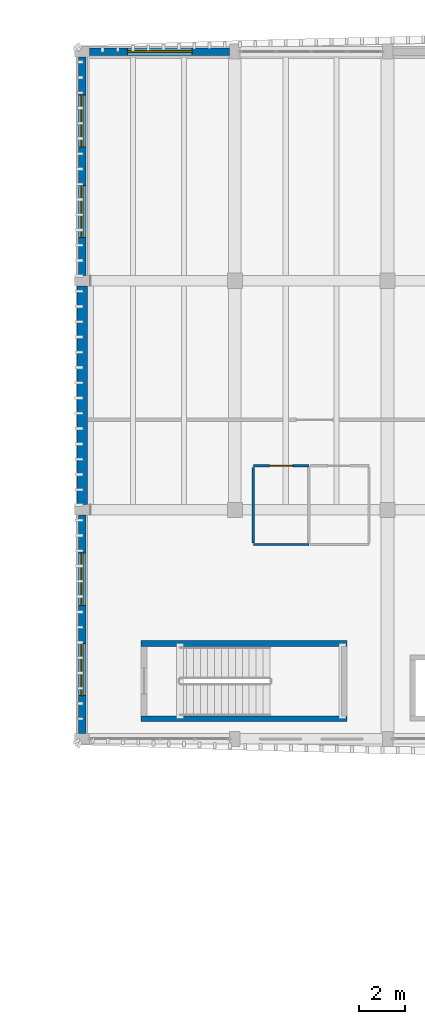
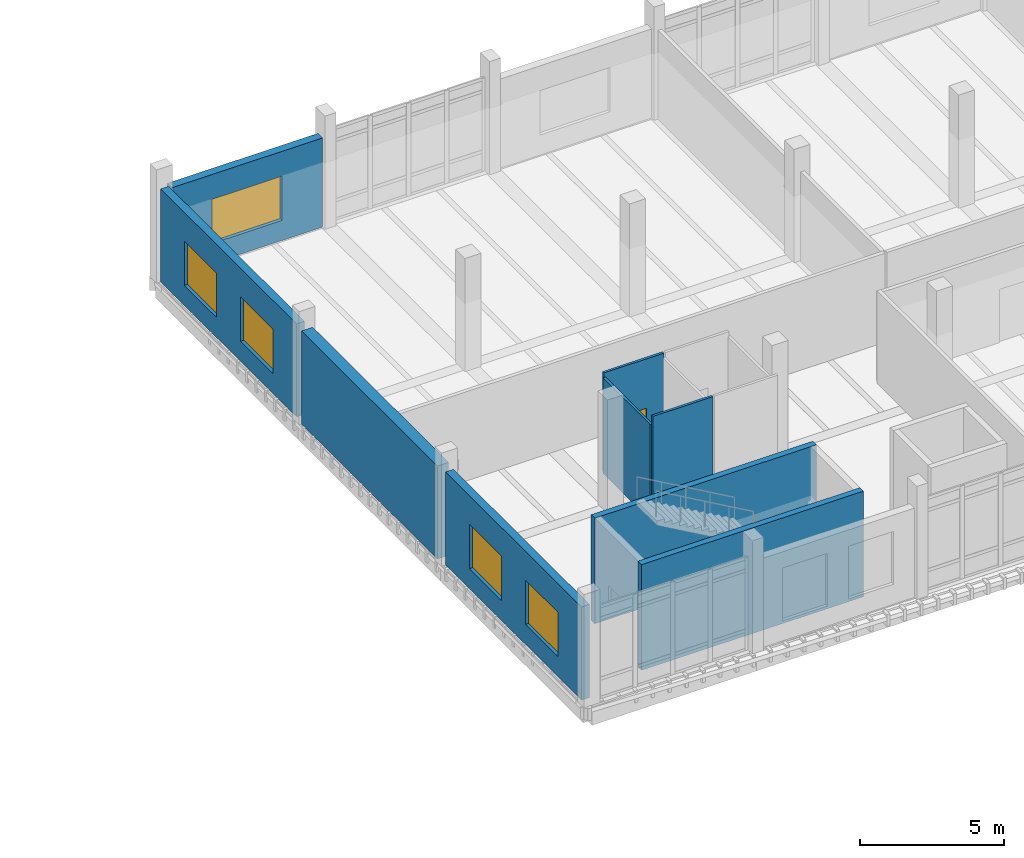
# One storey, part 54 of 76: 9 walls, 5 windows, 1 door, 6 openings.
"""IFC4 building model written with IfcOpenShell, lengths in metres."""

import ifcopenshell
import ifcopenshell.guid

model = None  # the IFC model being written
_history = None  # IfcOwnerHistory: only IFC2X3 demands one
_inside = {}  # id of a spatial element -> (the spatial element, [elements in it])
_under = {}  # id of a project, library or spatial element -> (it, [spatial elements below it])
_declared = {}  # id of a project -> (the project, [libraries it declares])
_typed = {}  # id of a type object -> (the type object, [elements of that type])
_made_of = {}  # id of a material, layer set ... -> (it, [elements and type objects made of it])


def new_model(schema):
    """Start an empty IFC model of exactly this schema.

    Asked for "IFC4X3", IfcOpenShell would pick the latest addendum, in which some entities
    have other attributes; the version numbers below select the first issue.
    IFC2X3 requires an IfcOwnerHistory on every rooted entity: one is made here for all.
    """
    global model, _history
    if schema == "IFC4X3":
        model = ifcopenshell.file(schema_version=(4, 3, 0, 0))
    else:
        model = ifcopenshell.file(schema=schema)
    _inside.clear()
    _under.clear()
    _declared.clear()
    _typed.clear()
    _made_of.clear()
    _history = None
    if model.schema == "IFC2X3":
        org = make("IfcOrganization", Name="unknown")
        user = make(
            "IfcPersonAndOrganization",
            ThePerson=make("IfcPerson", FamilyName="unknown"),
            TheOrganization=org,
        )
        app = make(
            "IfcApplication",
            ApplicationDeveloper=org,
            Version="unknown",
            ApplicationFullName="unknown",
            ApplicationIdentifier="unknown",
        )
        _history = make(
            "IfcOwnerHistory",
            OwningUser=user,
            OwningApplication=app,
            ChangeAction="ADDED",
            CreationDate=0,
        )
    return model


def make(cls, **values):
    """One entity of the class cls with the attributes given. An attribute that is None is left unset."""
    return model.create_entity(
        cls, **{name: value for name, value in values.items() if value is not None}
    )


def rooted(cls, **values):
    """An entity with a GlobalId (a new one), such as an element, a storey or a relation."""
    return make(cls, GlobalId=ifcopenshell.guid.new(), OwnerHistory=_history, **values)


def si_unit(unit_type, name, prefix=None):
    """IfcSIUnit, for example si_unit("LENGTHUNIT", "METRE", prefix="MILLI")."""
    return make("IfcSIUnit", UnitType=unit_type, Prefix=prefix, Name=name)


def assignment(units):
    """IfcUnitAssignment: the units of a project."""
    return None if units is None else make("IfcUnitAssignment", Units=units)


def point(xyz):
    """IfcCartesianPoint."""
    return None if xyz is None else make("IfcCartesianPoint", Coordinates=xyz)


def direction(xyz):
    """IfcDirection."""
    return None if xyz is None else make("IfcDirection", DirectionRatios=xyz)


def frame(location, z_axis=None, x_axis=None):
    """IfcAxis2Placement3D, a coordinate frame: its origin and axes. An axis left out is left unset."""
    return make(
        "IfcAxis2Placement3D",
        Location=point(location),
        Axis=direction(z_axis),
        RefDirection=direction(x_axis),
    )


def frame_2d(location, x_axis=None):
    """IfcAxis2Placement2D, a coordinate frame in the plane: its origin and x axis."""
    return make(
        "IfcAxis2Placement2D", Location=point(location), RefDirection=direction(x_axis)
    )


def origin():
    """The frame at (0, 0, 0) with its axes left unset."""
    return frame((0.0, 0.0, 0.0))


def place(relative_to, where):
    """IfcLocalPlacement: puts the frame where relative to a parent placement (None: the world)."""
    return make(
        "IfcLocalPlacement", PlacementRelTo=relative_to, RelativePlacement=where
    )


def context(
    kind, dimensions, precision=None, world=None, true_north=None, identifier=None
):
    """IfcGeometricRepresentationContext, for example the 3D "Model" context."""
    return make(
        "IfcGeometricRepresentationContext",
        ContextIdentifier=identifier,
        ContextType=kind,
        CoordinateSpaceDimension=dimensions,
        Precision=precision,
        WorldCoordinateSystem=world,
        TrueNorth=true_north,
    )


def subcontext(parent, identifier, kind, view, scale=None):
    """IfcGeometricRepresentationSubContext, for example "Body" below "Model"."""
    return make(
        "IfcGeometricRepresentationSubContext",
        ContextIdentifier=identifier,
        ContextType=kind,
        ParentContext=parent,
        TargetScale=scale,
        TargetView=view,
    )


def project(units=None, contexts=None):
    """IfcProject with its units and contexts."""
    return rooted(
        "IfcProject",
        Name="project",
        RepresentationContexts=contexts,
        UnitsInContext=assignment(units),
    )


def spatial(cls, under=None, at=None, **own):
    """A site, building, storey or space (cls), placed at a placement, below another one or the project."""
    s = rooted(cls, ObjectPlacement=at, **own)
    if under is not None:
        _under.setdefault(under.id(), (under, []))[1].append(s)
    return s


def profile(cls, at=None, kind="AREA", **sizes):
    """A parametric profile (cls). Its sizes go by their IFC names, for example OverallWidth=200.0."""
    return make(cls, ProfileType=kind, Position=at, **sizes)


def rectangle(**sizes):
    """IfcRectangleProfileDef."""
    return profile("IfcRectangleProfileDef", **sizes)


def extrude(swept, where, along, depth):
    """IfcExtrudedAreaSolid: the profile swept, set in the frame where, extruded along a direction by depth."""
    return make(
        "IfcExtrudedAreaSolid",
        SweptArea=swept,
        Position=where,
        ExtrudedDirection=direction(along),
        Depth=depth,
    )


def shape(context_of_items, identifier, shape_type, items):
    """IfcShapeRepresentation: the items that make up one representation, for example the "Body"."""
    return make(
        "IfcShapeRepresentation",
        ContextOfItems=context_of_items,
        RepresentationIdentifier=identifier,
        RepresentationType=shape_type,
        Items=items,
    )


def material(Name=None, Category=None):
    """IfcMaterial."""
    return make("IfcMaterial", Name=Name, Category=Category)


def layer(
    of_material, thickness, ventilated=None, Name=None, Category=None, Priority=None
):
    """IfcMaterialLayer: one layer of a wall or slab, of a material (None: an air gap)."""
    return make(
        "IfcMaterialLayer",
        Material=of_material,
        LayerThickness=thickness,
        IsVentilated=ventilated,
        Name=Name,
        Category=Category,
        Priority=Priority,
    )


def layer_set(layers, Name=None):
    """IfcMaterialLayerSet."""
    return make("IfcMaterialLayerSet", MaterialLayers=layers, LayerSetName=Name)


def made_of(thing, what):
    """Note that an element or type object is made of a material, layer set ...; save() writes the relation."""
    if what is not None:
        _made_of.setdefault(what.id(), (what, []))[1].append(thing)
    return thing


def type_object(cls, material=None, **own):
    """A type object (cls), such as IfcWallType, which elements share."""
    return made_of(rooted(cls, **own), material)


def element(
    cls,
    number,
    at=None,
    inside=None,
    cuts=None,
    type_object=None,
    material=None,
    context=None,
    identifier="Body",
    shape_type=None,
    held_by="IfcProductDefinitionShape",
    body=None,
    shapes=None,
    **own,
):
    """One element of the class cls, such as IfcWall. Its Tag is "e" and its number.

    at: its placement. inside: the storey or other place that contains it. cuts: it is an
    opening in that element (IfcRelVoidsElement). A single representation is given by context,
    identifier, shape_type and body (its items); several are given by shapes. held_by: the class
    of the entity that holds the representations. save() writes the other relations.
    """
    e = rooted(cls, Tag="e%d" % number, ObjectPlacement=at, **own)
    if body is not None:
        shapes = [shape(context, identifier, shape_type, body)]
    if shapes is not None:
        e.Representation = make(held_by, Representations=shapes)
    if inside is not None:
        _inside.setdefault(inside.id(), (inside, []))[1].append(e)
    if cuts is not None:
        rooted(
            "IfcRelVoidsElement", RelatingBuildingElement=cuts, RelatedOpeningElement=e
        )
    if type_object is not None:
        _typed.setdefault(type_object.id(), (type_object, []))[1].append(e)
    return made_of(e, material)


def fill(opening, filler):
    """IfcRelFillsElement: the door or window that sits in an opening."""
    return rooted(
        "IfcRelFillsElement",
        RelatingOpeningElement=opening,
        RelatedBuildingElement=filler,
    )


def aggregate(whole, parts):
    """IfcRelAggregates: a whole, such as a stair, and the parts it consists of."""
    return rooted("IfcRelAggregates", RelatingObject=whole, RelatedObjects=parts)


def save(model, path):
    """Write the relations noted so far, then the file.

    IfcRelAggregates (storeys below a building ...), IfcRelContainedInSpatialStructure (elements
    in a storey), IfcRelDefinesByType, IfcRelAssociatesMaterial and IfcRelDeclares: one each for
    every whole, place, type object, material and project.
    """
    for whole, parts in _under.values():
        aggregate(whole, parts)
    for where, things in _inside.values():
        rooted(
            "IfcRelContainedInSpatialStructure",
            RelatedElements=things,
            RelatingStructure=where,
        )
    for kind, things in _typed.values():
        rooted("IfcRelDefinesByType", RelatedObjects=things, RelatingType=kind)
    for what, things in _made_of.values():
        rooted("IfcRelAssociatesMaterial", RelatedObjects=things, RelatingMaterial=what)
    for by, libraries in _declared.values():
        rooted("IfcRelDeclares", RelatingContext=by, RelatedDefinitions=libraries)
    model.write(path)


model = new_model("IFC4")

# Units and contexts
model_context = context("Model", 3, precision=1e-05, world=origin(), true_north=direction((0.0, 1.0)))
body_context = subcontext(model_context, "Body", "Model", "MODEL_VIEW")
ifc_project = project(units=[si_unit("LENGTHUNIT", "METRE"), si_unit("AREAUNIT", "SQUARE_METRE"), si_unit("VOLUMEUNIT", "CUBIC_METRE"), si_unit("PLANEANGLEUNIT", "RADIAN"), si_unit("MASSUNIT", "GRAM", prefix="KILO")], contexts=[model_context])

# Site, building, storey
site_placement = place(None, origin())
site = spatial("IfcSite", under=ifc_project, at=site_placement, CompositionType="ELEMENT")
building_placement = place(site_placement, origin())
building = spatial("IfcBuilding", under=site, at=building_placement, Name="Dornvale Research Institute", CompositionType="ELEMENT")
storey_placement = place(building_placement, frame((0.0, 0.0, 15.0)))
storey = spatial("IfcBuildingStorey", under=building, at=storey_placement, Name="L03", CompositionType="ELEMENT", Elevation=15.0)

# Wall
ifc_material_1 = material(Name="Acoustic Insulated Double-Stud Laboratory Partition")
ifc_layer_1 = layer(ifc_material_1, 0.10009765625)
ifc_layer_set_1 = layer_set([ifc_layer_1], Name="Acoustic Insulated Double-Stud Laboratory Partition")
wall_type_1 = type_object("IfcWallType", Name="Partition_Office_100", PredefinedType="PARTITIONING", material=ifc_layer_set_1)
wall_1_placement = place(storey_placement, frame((126.199951171875, 100.800048828125, 0.0), z_axis=(0.0, 0.0, 1.0), x_axis=(1.0, 0.0, 0.0)))
element("IfcWall", 1, at=wall_1_placement, inside=storey, type_object=wall_type_1, Name="L03 V4 interior partition #353", PredefinedType="PARTITIONING", context=body_context, shape_type="SweptSolid", body=[
    extrude(rectangle(XDim=2.400146484375, YDim=0.10009765625, at=frame_2d((1.2001953125, 0.0))), origin(), (0.0, 0.0, 1.0), 4.4599609375),
])

# Wall, opening, door
wall_2_placement = place(storey_placement, frame((126.199951171875, 104.199951171875, 0.0), z_axis=(0.0, 0.0, 1.0), x_axis=(1.0, 0.0, 0.0)))
wall_2 = element("IfcWall", 2, at=wall_2_placement, inside=storey, type_object=wall_type_1, Name="L03 V4 interior partition #354", PredefinedType="PARTITIONING", context=body_context, shape_type="SweptSolid", body=[
    extrude(rectangle(XDim=2.400146484375, YDim=0.10009765625, at=frame_2d((1.2001953125, 0.0))), origin(), (0.0, 0.0, 1.0), 4.2451171875),
])
opening_1_placement = place(wall_2_placement, frame((0.699951171875, 0.0, 0.0)))
opening_1 = element("IfcOpeningElement", 3, at=opening_1_placement, cuts=wall_2, Name="Opening ID-24", PredefinedType="OPENING", context=body_context, shape_type="SweptSolid", body=[
    extrude(rectangle(XDim=1.0, YDim=2.14990234375, at=frame_2d((0.5, 1.074951171875))), frame((0.0, 0.06494140625, 0.0), z_axis=(0.0, -1.0, 0.0), x_axis=(1.0, 0.0, 0.0)), (0.0, 0.0, 1.0), 0.130126953125),
])
ifc_material_2 = material(Name="Phenolic-Faced Solid-Core Laboratory Door Assembly")
door_type = type_object("IfcDoorType", Name="Door_AccWC_1000x2150", OperationType="SINGLE_SWING_LEFT", PredefinedType="DOOR", material=ifc_material_2)
door_placement = place(opening_1_placement, origin())
door = element("IfcDoor", 4, at=door_placement, inside=storey, type_object=door_type, Name="L03 Wet Wing Male Restroom L03 door #144", OperationType="SINGLE_SWING_LEFT", OverallHeight=2.14990234375, OverallWidth=1.0, PredefinedType="DOOR", context=body_context, shape_type="SweptSolid", body=[
    extrude(rectangle(XDim=1.0, YDim=2.14990234375, at=frame_2d((0.5, 1.074951171875))), frame((0.0, 0.02490234375, 0.0), z_axis=(0.0, -1.0, 0.0), x_axis=(1.0, 0.0, 0.0)), (0.0, 0.0, 1.0), 0.050048828125),
])
fill(opening_1, door)

# Walls
wall_3_placement = place(storey_placement, frame((126.199951171875, 100.864990234375, 0.0), z_axis=(0.0, 0.0, 1.0), x_axis=(0.0, 1.0, 0.0)))
element("IfcWall", 5, at=wall_3_placement, inside=storey, type_object=wall_type_1, Name="L03 V4 interior partition #355", PredefinedType="PARTITIONING", context=body_context, shape_type="SweptSolid", body=[
    extrude(rectangle(XDim=3.27001953125, YDim=0.10009765625, at=frame_2d((1.635009765625, 0.0))), origin(), (0.0, 0.0, 1.0), 4.06494140625),
])
ifc_material_3 = material(Name="Concrete f'c 45 MPa (C35/45)", Category="concrete")
ifc_layer_2 = layer(ifc_material_3, 0.25)
ifc_layer_set_2 = layer_set([ifc_layer_2], Name="Concrete f'c 45 MPa (C35/45)")
wall_type_2 = type_object("IfcWallType", Name="ShearWall_Core_250", PredefinedType="SHEAR", material=ifc_layer_set_2)
for number, where, z_axis, x_axis, name in (
    (6, (121.35009765625, 93.27490234375, 0.0), (0.0, 0.0, 1.0), (1.0, 0.0, 0.0), "L03 ST-3 shaft shear wall south"),
    (7, (121.35009765625, 96.52490234375, 0.0), (0.0, 0.0, 1.0), (1.0, 0.0, 0.0), "L03 ST-3 shaft shear wall north"),
):
    element("IfcWall", number, at=place(storey_placement, frame(where, z_axis=z_axis, x_axis=x_axis)), inside=storey, type_object=wall_type_2, Name=name, PredefinedType="SHEAR", context=body_context, shape_type="SweptSolid", body=[
        extrude(rectangle(XDim=8.89990234375, YDim=0.25, at=frame_2d((4.449951171875, 0.0))), origin(), (0.0, 0.0, 1.0), 4.47998046875),
    ])
ifc_material_4 = material(Name="Precast Concrete f'c 40 MPa (C32/40) and Glazed Terracotta Backup Wall", Category="masonry")
ifc_layer_3 = layer(ifc_material_4, 0.449951171875)
ifc_layer_set_3 = layer_set([ifc_layer_3], Name="Precast Concrete f'c 40 MPa (C32/40) and Glazed Terracotta Backup Wall")
wall_type_3 = type_object("IfcWallType", Name="SolidWall_ShearBraceBay_450", PredefinedType="SOLIDWALL", material=ifc_layer_set_3)
wall_4_placement = place(storey_placement, frame((118.800048828125, 102.52490234375, 0.0), z_axis=(0.0, 0.0, 1.0), x_axis=(0.0, 1.0, 0.0)))
element("IfcWall", 8, at=wall_4_placement, inside=storey, type_object=wall_type_3, Name="L03 V4 west exterior wall #232", PredefinedType="SOLIDWALL", context=body_context, shape_type="SweptSolid", body=[
    extrude(rectangle(XDim=9.4501953125, YDim=0.449951171875, at=frame_2d((4.72509765625, 0.0))), origin(), (0.0, 0.0, 1.0), 3.949951171875),
])

# Wall, openings, windows
ifc_material_5 = material(Name="Catalan Pressed Brick and Insulated Cavity Assembly", Category="masonry")
ifc_layer_4 = layer(ifc_material_5, 0.320068359375)
ifc_layer_set_4 = layer_set([ifc_layer_4], Name="Catalan Pressed Brick and Insulated Cavity Assembly")
wall_type_4 = type_object("IfcWallType", Name="StandardWall_BrickCavity_320", PredefinedType="STANDARD", material=ifc_layer_set_4)
wall_5_placement = place(storey_placement, frame((118.800048828125, 92.625, 0.0), z_axis=(0.0, 0.0, 1.0), x_axis=(0.0, 1.0, 0.0)))
wall_5 = element("IfcWall", 9, at=wall_5_placement, inside=storey, type_object=wall_type_4, Name="L03 V4 west exterior wall #231", PredefinedType="STANDARD", context=body_context, shape_type="SweptSolid", body=[
    extrude(rectangle(XDim=9.449951171875, YDim=0.320068359375, at=frame_2d((4.72509765625, 0.0))), origin(), (0.0, 0.0, 1.0), 3.949951171875),
])
opening_2_placement = place(wall_5_placement, frame((1.64990234375, 0.0, 0.85009765625)))
opening_2 = element("IfcOpeningElement", 10, at=opening_2_placement, cuts=wall_5, Name="Opening W-32", PredefinedType="OPENING", context=body_context, shape_type="SweptSolid", body=[
    extrude(rectangle(XDim=2.25, YDim=1.8798828125, at=frame_2d((1.125, 0.93994140625))), frame((0.0, 0.175048828125, 0.0), z_axis=(0.0, -1.0, 0.0), x_axis=(1.0, 0.0, 0.0)), (0.0, 0.0, 1.0), 0.35009765625),
])
opening_3_placement = place(wall_5_placement, frame((5.550048828125, 0.0, 0.85009765625)))
opening_3 = element("IfcOpeningElement", 11, at=opening_3_placement, cuts=wall_5, Name="Opening W-32", PredefinedType="OPENING", context=body_context, shape_type="SweptSolid", body=[
    extrude(rectangle(XDim=2.25, YDim=1.8798828125, at=frame_2d((1.125, 0.93994140625))), frame((0.0, 0.175048828125, 0.0), z_axis=(0.0, -1.0, 0.0), x_axis=(1.0, 0.0, 0.0)), (0.0, 0.0, 1.0), 0.35009765625),
])
ifc_material_6 = material(Name="Low-E Argon Double Insulating Glazing Unit", Category="glass")
window_type_1 = type_object("IfcWindowType", Name="Window_Alu_2250x1880_32", PartitioningType="DOUBLE_PANEL_VERTICAL", PredefinedType="WINDOW", material=ifc_material_6)
window_1_placement = place(opening_2_placement, origin())
window_1 = element("IfcWindow", 12, at=window_1_placement, inside=storey, type_object=window_type_1, Name="L03 V4 facade window W-32 #311", OverallHeight=1.8798828125, OverallWidth=2.25, PartitioningType="DOUBLE_PANEL_VERTICAL", PredefinedType="WINDOW", context=body_context, shape_type="SweptSolid", body=[
    extrude(rectangle(XDim=2.25, YDim=1.8798828125, at=frame_2d((1.125, 0.93994140625))), frame((0.0, 0.030029296875, 0.0), z_axis=(0.0, -1.0, 0.0), x_axis=(1.0, 0.0, 0.0)), (0.0, 0.0, 1.0), 0.06005859375),
])
fill(opening_2, window_1)
window_2_placement = place(opening_3_placement, origin())
window_2 = element("IfcWindow", 13, at=window_2_placement, inside=storey, type_object=window_type_1, Name="L03 V4 facade window W-32 #312", OverallHeight=1.8798828125, OverallWidth=2.25, PartitioningType="DOUBLE_PANEL_VERTICAL", PredefinedType="WINDOW", context=body_context, shape_type="SweptSolid", body=[
    extrude(rectangle(XDim=2.25, YDim=1.8798828125, at=frame_2d((1.125, 0.93994140625))), frame((0.0, 0.030029296875, 0.0), z_axis=(0.0, -1.0, 0.0), x_axis=(1.0, 0.0, 0.0)), (0.0, 0.0, 1.0), 0.06005859375),
])
fill(opening_3, window_2)

wall_6_placement = place(storey_placement, frame((118.800048828125, 112.425048828125, 0.0), z_axis=(0.0, 0.0, 1.0), x_axis=(0.0, 1.0, 0.0)))
wall_6 = element("IfcWall", 14, at=wall_6_placement, inside=storey, type_object=wall_type_4, Name="L03 V4 west exterior wall #233", PredefinedType="STANDARD", context=body_context, shape_type="SweptSolid", body=[
    extrude(rectangle(XDim=9.449951171875, YDim=0.320068359375, at=frame_2d((4.72509765625, 0.0))), origin(), (0.0, 0.0, 1.0), 3.949951171875),
])
opening_4_placement = place(wall_6_placement, frame((1.64990234375, 0.0, 0.85009765625)))
opening_4 = element("IfcOpeningElement", 15, at=opening_4_placement, cuts=wall_6, Name="Opening W-32", PredefinedType="OPENING", context=body_context, shape_type="SweptSolid", body=[
    extrude(rectangle(XDim=2.25, YDim=1.8798828125, at=frame_2d((1.125, 0.93994140625))), frame((0.0, 0.175048828125, 0.0), z_axis=(0.0, -1.0, 0.0), x_axis=(1.0, 0.0, 0.0)), (0.0, 0.0, 1.0), 0.35009765625),
])
opening_5_placement = place(wall_6_placement, frame((5.550048828125, 0.0, 0.85009765625)))
opening_5 = element("IfcOpeningElement", 16, at=opening_5_placement, cuts=wall_6, Name="Opening W-32", PredefinedType="OPENING", context=body_context, shape_type="SweptSolid", body=[
    extrude(rectangle(XDim=2.25, YDim=1.8798828125, at=frame_2d((1.125, 0.93994140625))), frame((0.0, 0.175048828125, 0.0), z_axis=(0.0, -1.0, 0.0), x_axis=(1.0, 0.0, 0.0)), (0.0, 0.0, 1.0), 0.35009765625),
])
window_3_placement = place(opening_4_placement, origin())
window_3 = element("IfcWindow", 17, at=window_3_placement, inside=storey, type_object=window_type_1, Name="L03 V4 facade window W-32 #313", OverallHeight=1.8798828125, OverallWidth=2.25, PartitioningType="DOUBLE_PANEL_VERTICAL", PredefinedType="WINDOW", context=body_context, shape_type="SweptSolid", body=[
    extrude(rectangle(XDim=2.25, YDim=1.8798828125, at=frame_2d((1.125, 0.93994140625))), frame((0.0, 0.030029296875, 0.0), z_axis=(0.0, -1.0, 0.0), x_axis=(1.0, 0.0, 0.0)), (0.0, 0.0, 1.0), 0.06005859375),
])
fill(opening_4, window_3)
window_4_placement = place(opening_5_placement, origin())
window_4 = element("IfcWindow", 18, at=window_4_placement, inside=storey, type_object=window_type_1, Name="L03 V4 facade window W-32 #314", OverallHeight=1.8798828125, OverallWidth=2.25, PartitioningType="DOUBLE_PANEL_VERTICAL", PredefinedType="WINDOW", context=body_context, shape_type="SweptSolid", body=[
    extrude(rectangle(XDim=2.25, YDim=1.8798828125, at=frame_2d((1.125, 0.93994140625))), frame((0.0, 0.030029296875, 0.0), z_axis=(0.0, -1.0, 0.0), x_axis=(1.0, 0.0, 0.0)), (0.0, 0.0, 1.0), 0.06005859375),
])
fill(opening_5, window_4)

# Wall, opening, window
wall_7_placement = place(storey_placement, frame((119.125, 122.10009765625, 0.0), z_axis=(0.0, 0.0, 1.0), x_axis=(1.0, 0.0, 0.0)))
wall_7 = element("IfcWall", 19, at=wall_7_placement, inside=storey, type_object=wall_type_4, Name="L03 V4 north exterior wall #234", PredefinedType="STANDARD", context=body_context, shape_type="SweptSolid", body=[
    extrude(rectangle(XDim=6.050048828125, YDim=0.320068359375, at=frame_2d((3.02490234375, 0.0))), origin(), (0.0, 0.0, 1.0), 3.780029296875),
])
opening_6_placement = place(wall_7_placement, frame((1.625, 0.0, 0.85009765625)))
opening_6 = element("IfcOpeningElement", 20, at=opening_6_placement, cuts=wall_7, Name="Opening W-35", PredefinedType="OPENING", context=body_context, shape_type="SweptSolid", body=[
    extrude(rectangle(XDim=2.800048828125, YDim=1.8798828125, at=frame_2d((1.39990234375, 0.93994140625))), frame((0.0, 0.175048828125, 0.0), z_axis=(0.0, -1.0, 0.0), x_axis=(1.0, 0.0, 0.0)), (0.0, 0.0, 1.0), 0.35009765625),
])
ifc_material_7 = material(Name="Low-E Argon Double Insulating Glazing Unit", Category="glass")
window_type_2 = type_object("IfcWindowType", Name="Window_Alu_2800x1880_35", PartitioningType="DOUBLE_PANEL_VERTICAL", PredefinedType="WINDOW", material=ifc_material_7)
window_5_placement = place(opening_6_placement, origin())
window_5 = element("IfcWindow", 21, at=window_5_placement, inside=storey, type_object=window_type_2, Name="L03 V4 facade window W-35 #315", OverallHeight=1.8798828125, OverallWidth=2.800048828125, PartitioningType="DOUBLE_PANEL_VERTICAL", PredefinedType="WINDOW", context=body_context, shape_type="SweptSolid", body=[
    extrude(rectangle(XDim=2.800048828125, YDim=1.8798828125, at=frame_2d((1.39990234375, 0.93994140625))), frame((0.0, 0.030029296875, 0.0), z_axis=(0.0, -1.0, 0.0), x_axis=(1.0, 0.0, 0.0)), (0.0, 0.0, 1.0), 0.06005859375),
])
fill(opening_6, window_5)

save(model, "model.ifc")
